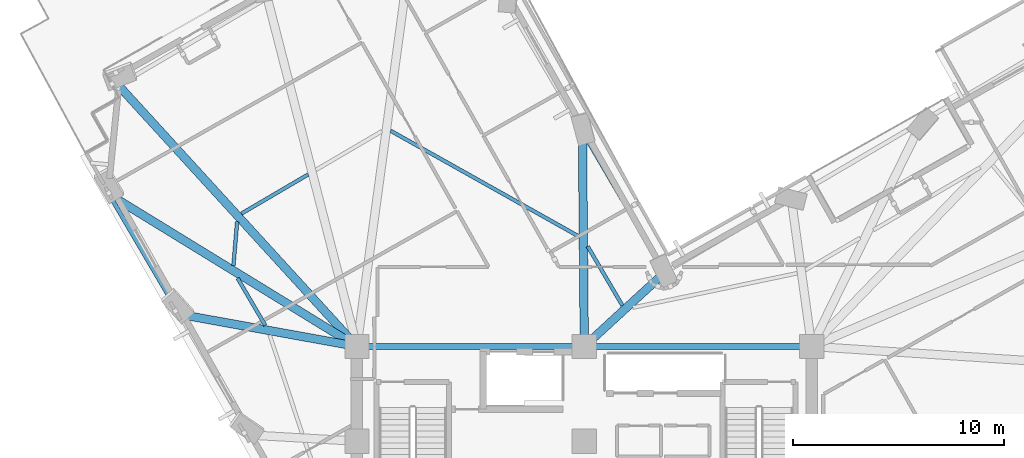
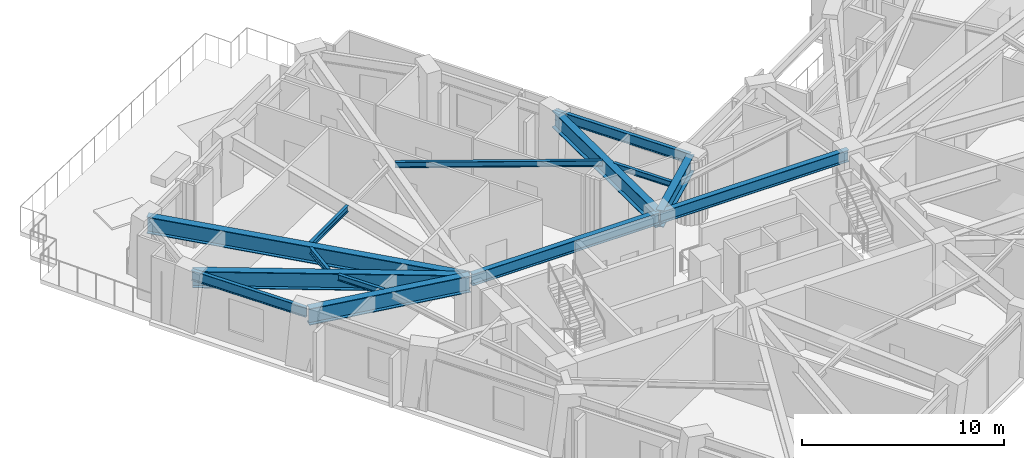
# One storey, part 3 of 18: 14 beams.
"""IFC4 building model written with IfcOpenShell, lengths in metres."""

from ifc_helpers import new_model, si_unit, direction, frame, origin, origin_2d, place, context, subcontext, project, spatial, i_section, extrude, material, material_profile, profile_set, type_object, element, save


model = new_model("IFC4")

# Units and contexts
model_context = context("Model", 3, precision=1e-05, world=origin(), true_north=direction((0.0, 1.0)))
body_context = subcontext(model_context, "Body", "Model", "MODEL_VIEW")
ifc_project = project(units=[si_unit("LENGTHUNIT", "METRE"), si_unit("AREAUNIT", "SQUARE_METRE"), si_unit("VOLUMEUNIT", "CUBIC_METRE"), si_unit("PLANEANGLEUNIT", "RADIAN"), si_unit("MASSUNIT", "GRAM", prefix="KILO")], contexts=[model_context])

# Site, building, storey
site_placement = place(None, origin())
site = spatial("IfcSite", under=ifc_project, at=site_placement, CompositionType="ELEMENT")
building_placement = place(site_placement, origin())
building = spatial("IfcBuilding", under=site, at=building_placement, Name="Gaonmaruhae Medical Tower", CompositionType="ELEMENT")
storey_placement = place(building_placement, frame((0.0, 0.0, 149.800048828125)))
storey = spatial("IfcBuildingStorey", under=building, at=storey_placement, Name="L35", CompositionType="ELEMENT", Elevation=149.800048828125)

# Beams
ifc_material_1 = material(Name="Steel SM420", Category="steel")
ifc_material_profile_1 = material_profile(ifc_material_1, i_section(OverallWidth=0.39990234375, OverallDepth=1.0, WebThickness=0.02197265625, FlangeThickness=0.035888671875, at=origin_2d()), Name="BH-1000x400x22x36")
ifc_profile_set_1 = profile_set([ifc_material_profile_1], Name="Steel SM420")
beam_type_1 = type_object("IfcBeamType", Name="BG-02 Refuge Floor Primary Girder (BH-1000x400x22x36)", PredefinedType="BEAM", material=ifc_profile_set_1)
beam_1_placement = place(storey_placement, frame((24.8369140625, 16.833740234375, 3.280029296875), z_axis=(0.736476890812, 0.676462703554, 0.0), x_axis=(-0.676462703554, 0.736476890812, 0.0)))
element("IfcBeam", 1, at=beam_1_placement, inside=storey, type_object=beam_type_1, Name="L35 Radial Primary Girder KN01", PredefinedType="BEAM", context=body_context, shape_type="SweptSolid", body=[
    extrude(i_section(OverallWidth=0.39990234375, OverallDepth=1.0, WebThickness=0.02197265625, FlangeThickness=0.035888671875, at=origin_2d()), origin(), (0.0, 0.0, 1.0), 5.10546875),
])
beam_2_placement = place(storey_placement, frame((24.799560546875, 16.85009765625, 3.280029296875), z_axis=(-0.008624534269, 0.999962808013, 0.0), x_axis=(-0.999962808013, -0.008624534269, 0.0)))
element("IfcBeam", 2, at=beam_2_placement, inside=storey, type_object=beam_type_1, Name="L35 Radial Primary Girder NE01", PredefinedType="BEAM", context=body_context, shape_type="SweptSolid", body=[
    extrude(i_section(OverallWidth=0.39990234375, OverallDepth=1.0, WebThickness=0.02197265625, FlangeThickness=0.035888671875, at=origin_2d()), origin(), (0.0, 0.0, 1.0), 10.10595703125),
])
beam_3_placement = place(storey_placement, frame((13.96630859375, 16.8369140625, 3.280029296875), z_axis=(-0.674464501491, 0.738307277648, 0.0), x_axis=(-0.738307277648, -0.674464501491, 0.0)))
element("IfcBeam", 3, at=beam_3_placement, inside=storey, type_object=beam_type_1, Name="L35 Radial Primary Girder N03", PredefinedType="BEAM", context=body_context, shape_type="SweptSolid", body=[
    extrude(i_section(OverallWidth=0.39990234375, OverallDepth=1.0, WebThickness=0.02197265625, FlangeThickness=0.035888671875, at=origin_2d()), origin(), (0.0, 0.0, 1.0), 16.69970703125),
])
beam_4_placement = place(storey_placement, frame((13.957275390625, 16.826171875, 3.280029296875), z_axis=(-0.852371271331, 0.522937105023, 0.0), x_axis=(-0.522937105023, -0.852371271331, 0.0)))
element("IfcBeam", 4, at=beam_4_placement, inside=storey, type_object=beam_type_1, Name="L35 Radial Primary Girder W01", PredefinedType="BEAM", context=body_context, shape_type="SweptSolid", body=[
    extrude(i_section(OverallWidth=0.39990234375, OverallDepth=1.0, WebThickness=0.02197265625, FlangeThickness=0.035888671875, at=origin_2d()), origin(), (0.0, 0.0, 1.0), 13.705810546875),
])
beam_5_placement = place(storey_placement, frame((13.95068359375, 16.808837890625, 3.280029296875), z_axis=(-0.983976792607, 0.178296583284, 0.0), x_axis=(-0.178296583284, -0.983976792607, 0.0)))
element("IfcBeam", 5, at=beam_5_placement, inside=storey, type_object=beam_type_1, Name="L35 Radial Primary Girder W02", PredefinedType="BEAM", context=body_context, shape_type="SweptSolid", body=[
    extrude(i_section(OverallWidth=0.39990234375, OverallDepth=1.0, WebThickness=0.02197265625, FlangeThickness=0.035888671875, at=origin_2d()), origin(), (0.0, 0.0, 1.0), 8.465087890625),
])
ifc_material_2 = material(Name="Steel SM355", Category="steel")
ifc_material_profile_2 = material_profile(ifc_material_2, i_section(OverallWidth=0.175048828125, OverallDepth=0.35009765625, WebThickness=0.007080078125, FlangeThickness=0.010986328125, FilletRadius=0.012939453125, at=origin_2d()), Name="H-350x175x7x11")
ifc_profile_set_2 = profile_set([ifc_material_profile_2], Name="Steel SM355")
beam_type_2 = type_object("IfcBeamType", Name="FJ-02 Upper Zone Ward Floor Joist (H-350x175x7x11)", PredefinedType="JOIST", material=ifc_profile_set_2)
beam_6_placement = place(storey_placement, frame((26.6103515625, 18.7421875, 3.60498046875), z_axis=(-0.506050295852, 0.862503969885, 0.0), x_axis=(-0.862503969885, -0.506050295852, 0.0)))
element("IfcBeam", 6, at=beam_6_placement, inside=storey, type_object=beam_type_2, Name="L35 Secondary Floor Joist FJ12", PredefinedType="JOIST", context=body_context, shape_type="SweptSolid", body=[
    extrude(i_section(OverallWidth=0.175048828125, OverallDepth=0.35009765625, WebThickness=0.007080078125, FlangeThickness=0.010986328125, FilletRadius=0.012939453125, at=origin_2d()), origin(), (0.0, 0.0, 1.0), 3.257568359375),
])
beam_7_placement = place(storey_placement, frame((24.5498046875, 22.0185546875, 3.60498046875), z_axis=(-0.871983072833, 0.48953602594, 0.0), x_axis=(-0.48953602594, -0.871983072833, 0.0)))
element("IfcBeam", 7, at=beam_7_placement, inside=storey, type_object=beam_type_2, Name="L35 Secondary Floor Joist FJ13", PredefinedType="JOIST", context=body_context, shape_type="SweptSolid", body=[
    extrude(i_section(OverallWidth=0.175048828125, OverallDepth=0.35009765625, WebThickness=0.007080078125, FlangeThickness=0.010986328125, FilletRadius=0.012939453125, at=origin_2d()), origin(), (0.0, 0.0, 1.0), 10.263671875),
])
beam_8_placement = place(storey_placement, frame((11.686279296875, 24.968017578125, 3.60498046875), z_axis=(-0.862521040281, -0.50602120022, 0.0), x_axis=(0.50602120022, -0.862521040281, 0.0)))
element("IfcBeam", 8, at=beam_8_placement, inside=storey, type_object=beam_type_2, Name="L35 Secondary Floor Joist FJ15", PredefinedType="JOIST", context=body_context, shape_type="SweptSolid", body=[
    extrude(i_section(OverallWidth=0.175048828125, OverallDepth=0.35009765625, WebThickness=0.007080078125, FlangeThickness=0.010986328125, FilletRadius=0.012939453125, at=origin_2d()), origin(), (0.0, 0.0, 1.0), 3.675537109375),
])
beam_9_placement = place(storey_placement, frame((8.311279296875, 22.724365234375, 3.60498046875), z_axis=(-0.083991554187, -0.996466466483, 0.0), x_axis=(0.996466466483, -0.083991554187, 0.0)))
element("IfcBeam", 9, at=beam_9_placement, inside=storey, type_object=beam_type_2, Name="L35 Secondary Floor Joist FJ16", PredefinedType="JOIST", context=body_context, shape_type="SweptSolid", body=[
    extrude(i_section(OverallWidth=0.175048828125, OverallDepth=0.35009765625, WebThickness=0.007080078125, FlangeThickness=0.010986328125, FilletRadius=0.012939453125, at=origin_2d()), origin(), (0.0, 0.0, 1.0), 2.0927734375),
])
beam_10_placement = place(storey_placement, frame((8.334228515625, 20.0380859375, 3.60498046875), z_axis=(0.506059330221, -0.862498669157, 0.0), x_axis=(0.862498669157, 0.506059330221, 0.0)))
element("IfcBeam", 10, at=beam_10_placement, inside=storey, type_object=beam_type_2, Name="L35 Secondary Floor Joist FJ17", PredefinedType="JOIST", context=body_context, shape_type="SweptSolid", body=[
    extrude(i_section(OverallWidth=0.175048828125, OverallDepth=0.35009765625, WebThickness=0.007080078125, FlangeThickness=0.010986328125, FilletRadius=0.012939453125, at=origin_2d()), origin(), (0.0, 0.0, 1.0), 2.599365234375),
])
ifc_material_profile_3 = material_profile(ifc_material_1, i_section(OverallWidth=0.300048828125, OverallDepth=0.699951171875, WebThickness=0.012939453125, FlangeThickness=0.02392578125, FilletRadius=0.01806640625, at=origin_2d()), Name="H-700x300x13x24")
ifc_profile_set_3 = profile_set([ifc_material_profile_3], Name="Steel SM420")
beam_type_3 = type_object("IfcBeamType", Name="PG-03 Zone 3 Radial Floor Girder (H-700x300x13x24)", PredefinedType="BEAM", material=ifc_profile_set_3)
for number, where, z_axis, x_axis, name in (
    (11, (14.050048828125, 16.800048828125, 3.429931640625), (1.0, 0.0, 0.0), (0.0, 1.0, 0.0), "L35 Beam BM-L35-CG-N1"),
    (12, (24.85009765625, 16.800048828125, 3.429931640625), (1.0, 0.0, 0.0), (0.0, 1.0, 0.0), "L35 Beam BM-L35-CG-N2"),
):
    element("IfcBeam", number, at=place(storey_placement, frame(where, z_axis=z_axis, x_axis=x_axis)), inside=storey, type_object=beam_type_3, Name=name, PredefinedType="BEAM", context=body_context, shape_type="SweptSolid", body=[
        extrude(i_section(OverallWidth=0.300048828125, OverallDepth=0.699951171875, WebThickness=0.012939453125, FlangeThickness=0.02392578125, FilletRadius=0.01806640625, at=origin_2d()), origin(), (0.0, 0.0, 1.0), 10.699951171875),
    ])
ifc_material_profile_4 = material_profile(ifc_material_2, i_section(OverallWidth=0.199951171875, OverallDepth=0.60009765625, WebThickness=0.010986328125, FlangeThickness=0.01708984375, FilletRadius=0.012939453125, at=origin_2d()), Name="H-600x200x11x17")
ifc_profile_set_4 = profile_set([ifc_material_profile_4], Name="Steel SM355")
beam_type_4 = type_object("IfcBeamType", Name="SP-01 Lower Perimeter Spandrel Beam (H-600x200x11x17)", PredefinedType="SPANDREL", material=ifc_profile_set_4)
beam_11_placement = place(storey_placement, frame((28.613525390625, 20.35546875, 3.47998046875), z_axis=(-0.506040501549, 0.862509716346, 0.0), x_axis=(-0.862509716346, -0.506040501549, 0.0)))
element("IfcBeam", 13, at=beam_11_placement, inside=storey, type_object=beam_type_4, Name="L35 Perimeter Spandrel Beam KN01-NE01", PredefinedType="SPANDREL", context=body_context, shape_type="SweptSolid", body=[
    extrude(i_section(OverallWidth=0.199951171875, OverallDepth=0.60009765625, WebThickness=0.010986328125, FlangeThickness=0.01708984375, FilletRadius=0.012939453125, at=origin_2d()), origin(), (0.0, 0.0, 1.0), 7.669921875),
])
beam_12_placement = place(storey_placement, frame((2.25244140625, 23.985107421875, 3.47998046875), z_axis=(0.506034668531, -0.862513138593, 0.0), x_axis=(0.862513138593, 0.506034668531, 0.0)))
element("IfcBeam", 14, at=beam_12_placement, inside=storey, type_object=beam_type_4, Name="L35 Perimeter Spandrel Beam W01-W02", PredefinedType="SPANDREL", context=body_context, shape_type="SweptSolid", body=[
    extrude(i_section(OverallWidth=0.199951171875, OverallDepth=0.60009765625, WebThickness=0.010986328125, FlangeThickness=0.01708984375, FilletRadius=0.012939453125, at=origin_2d()), origin(), (0.0, 0.0, 1.0), 6.52001953125),
])

save(model, "model.ifc")
